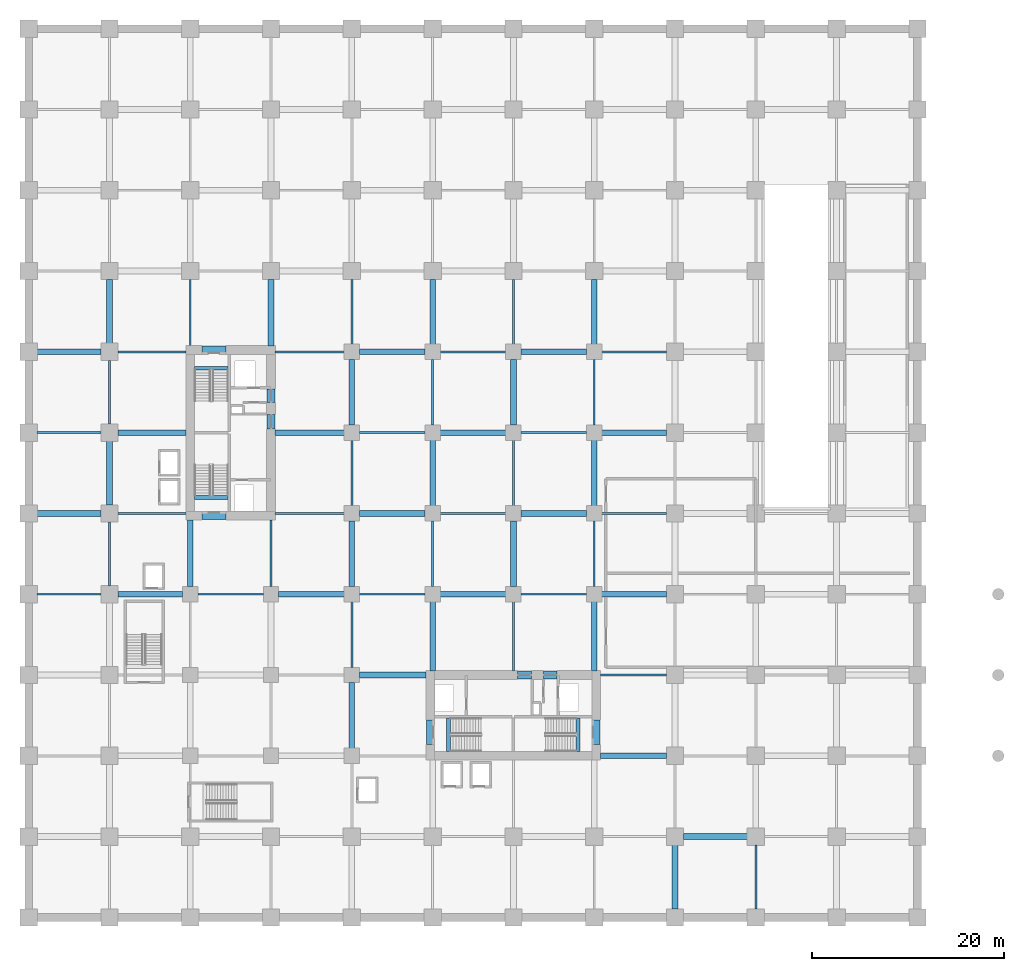
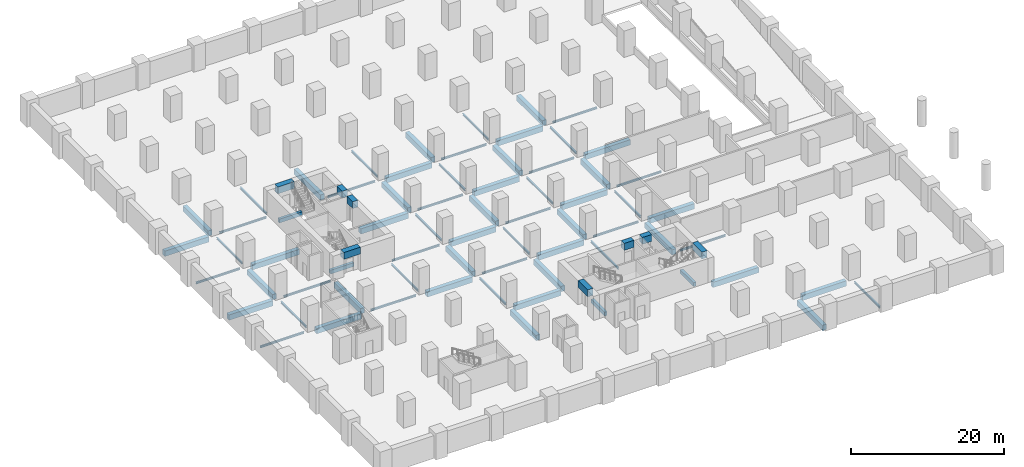
# One storey, part 2 of 13: 76 beams.
"""IFC4 building model written with IfcOpenShell, lengths in metres."""

from ifc_helpers import new_model, si_unit, direction, frame, origin, origin_2d, place, context, subcontext, project, spatial, rectangle, i_section, extrude, material, material_profile, profile_set, type_object, element, save


model = new_model("IFC4")

# Units and contexts
model_context = context("Model", 3, precision=1e-05, world=origin(), true_north=direction((0.0, 1.0)))
body_context = subcontext(model_context, "Body", "Model", "MODEL_VIEW")
ifc_project = project(units=[si_unit("LENGTHUNIT", "METRE"), si_unit("AREAUNIT", "SQUARE_METRE"), si_unit("VOLUMEUNIT", "CUBIC_METRE"), si_unit("PLANEANGLEUNIT", "RADIAN"), si_unit("MASSUNIT", "GRAM", prefix="KILO")], contexts=[model_context])

# Site, building, storey
site_placement = place(None, origin())
site = spatial("IfcSite", under=ifc_project, at=site_placement, CompositionType="ELEMENT")
building_placement = place(site_placement, origin())
building = spatial("IfcBuilding", under=site, at=building_placement, Name="Koriwani Terraces Tower", CompositionType="ELEMENT")
storey_placement = place(building_placement, frame((0.0, 0.0, -4.199951171875)))
storey = spatial("IfcBuildingStorey", under=building, at=storey_placement, Name="B01", CompositionType="ELEMENT", Elevation=-4.199951171875)

# Beams
ifc_material_1 = material(Name="Concrete C60/75", Category="concrete")
ifc_material_profile_1 = material_profile(ifc_material_1, rectangle(XDim=0.800048828125, YDim=1.10009765625, at=origin_2d()), Name="Concrete C60/75", Category="LoadBearing")
ifc_profile_set_1 = profile_set([ifc_material_profile_1], Name="Concrete C60/75")
beam_type_1 = type_object("IfcBeamType", Name="BEAM_RC_COUPLING_800X1100", PredefinedType="LINTEL", material=ifc_profile_set_1)
beam_1_placement = place(storey_placement, frame((25.199951171875, 50.800048828125, 3.300048828125), z_axis=(0.0, 1.0, 0.0), x_axis=(-1.0, 0.0, 0.0)))
element("IfcBeam", 1, at=beam_1_placement, inside=storey, type_object=beam_type_1, Name="B01 Core Coupling Lintel Beam WE1", PredefinedType="LINTEL", context=body_context, shape_type="SweptSolid", body=[
    extrude(rectangle(XDim=0.800048828125, YDim=1.10009765625, at=origin_2d()), origin(), (0.0, 0.0, 1.0), 1.47998046875),
])
beam_2_placement = place(storey_placement, frame((25.199951171875, 53.550048828125, 3.300048828125), z_axis=(0.0, 1.0, 0.0), x_axis=(-1.0, 0.0, 0.0)))
element("IfcBeam", 2, at=beam_2_placement, inside=storey, type_object=beam_type_1, Name="B01 Core Coupling Lintel Beam WE2", PredefinedType="LINTEL", context=body_context, shape_type="SweptSolid", body=[
    extrude(rectangle(XDim=0.800048828125, YDim=1.10009765625, at=origin_2d()), origin(), (0.0, 0.0, 1.0), 1.39990234375),
])
for number, where, z_axis, x_axis, name in (
    (3, (18.0, 41.75, 3.300048828125), (1.0, 0.0, 0.0), (0.0, 1.0, 0.0), "B01 Core Coupling Lintel Beam WS"),
    (4, (18.0, 59.0, 3.300048828125), (1.0, 0.0, 0.0), (0.0, 1.0, 0.0), "B01 Core Coupling Lintel Beam WN"),
):
    element("IfcBeam", number, at=place(storey_placement, frame(where, z_axis=z_axis, x_axis=x_axis)), inside=storey, type_object=beam_type_1, Name=name, PredefinedType="LINTEL", context=body_context, shape_type="SweptSolid", body=[
        extrude(rectangle(XDim=0.800048828125, YDim=1.10009765625, at=origin_2d()), origin(), (0.0, 0.0, 1.0), 2.5),
    ])
beam_3_placement = place(storey_placement, frame((50.800048828125, 25.199951171875, 3.300048828125), z_axis=(1.0, 0.0, 0.0), x_axis=(0.0, 1.0, 0.0)))
element("IfcBeam", 5, at=beam_3_placement, inside=storey, type_object=beam_type_1, Name="B01 Core Coupling Lintel Beam EN1", PredefinedType="LINTEL", context=body_context, shape_type="SweptSolid", body=[
    extrude(rectangle(XDim=0.800048828125, YDim=1.10009765625, at=origin_2d()), origin(), (0.0, 0.0, 1.0), 1.47998046875),
])
beam_4_placement = place(storey_placement, frame((53.550048828125, 25.199951171875, 3.300048828125), z_axis=(1.0, 0.0, 0.0), x_axis=(0.0, 1.0, 0.0)))
element("IfcBeam", 6, at=beam_4_placement, inside=storey, type_object=beam_type_1, Name="B01 Core Coupling Lintel Beam EN2", PredefinedType="LINTEL", context=body_context, shape_type="SweptSolid", body=[
    extrude(rectangle(XDim=0.800048828125, YDim=1.10009765625, at=origin_2d()), origin(), (0.0, 0.0, 1.0), 1.39990234375),
])
for number, where, z_axis, x_axis, name in (
    (7, (41.75, 18.0, 3.300048828125), (0.0, 1.0, 0.0), (-1.0, 0.0, 0.0), "B01 Core Coupling Lintel Beam EW"),
    (8, (59.0, 18.0, 3.300048828125), (0.0, 1.0, 0.0), (-1.0, 0.0, 0.0), "B01 Core Coupling Lintel Beam EE"),
):
    element("IfcBeam", number, at=place(storey_placement, frame(where, z_axis=z_axis, x_axis=x_axis)), inside=storey, type_object=beam_type_1, Name=name, PredefinedType="LINTEL", context=body_context, shape_type="SweptSolid", body=[
        extrude(rectangle(XDim=0.800048828125, YDim=1.10009765625, at=origin_2d()), origin(), (0.0, 0.0, 1.0), 2.5),
    ])
ifc_material_2 = material(Name="Concrete C40/50", Category="concrete")
ifc_material_profile_2 = material_profile(ifc_material_2, rectangle(XDim=0.39990234375, YDim=0.60009765625, at=origin_2d()), Name="Concrete C40/50", Category="LoadBearing")
ifc_profile_set_2 = profile_set([ifc_material_profile_2], Name="Concrete C40/50")
beam_type_2 = type_object("IfcBeamType", Name="BEAM_RC_GRID_400X600", PredefinedType="BEAM", material=ifc_profile_set_2)
for number, where, z_axis, x_axis, name in (
    (9, (17.25, 43.655029296875, -0.300048828125), (1.0, 0.0, 0.0), (0.0, 1.0, 0.0), "B01 Stairwell Header Trimmer Beam ST-W1"),
    (10, (17.25, 57.094970703125, -0.300048828125), (1.0, 0.0, 0.0), (0.0, 1.0, 0.0), "B01 Stairwell Header Trimmer Beam ST-W2"),
    (11, (43.655029296875, 17.25, -0.300048828125), (0.0, 1.0, 0.0), (-1.0, 0.0, 0.0), "B01 Stairwell Header Trimmer Beam ST-E1"),
    (12, (57.094970703125, 17.25, -0.300048828125), (0.0, 1.0, 0.0), (-1.0, 0.0, 0.0), "B01 Stairwell Header Trimmer Beam ST-E2"),
):
    element("IfcBeam", number, at=place(storey_placement, frame(where, z_axis=z_axis, x_axis=x_axis)), inside=storey, type_object=beam_type_2, Name=name, PredefinedType="BEAM", context=body_context, shape_type="SweptSolid", body=[
        extrude(rectangle(XDim=0.39990234375, YDim=0.60009765625, at=origin_2d()), origin(), (0.0, 0.0, 1.0), 3.5),
    ])
ifc_material_profile_3 = material_profile(ifc_material_1, rectangle(XDim=0.60009765625, YDim=0.85009765625, at=origin_2d()), Name="Concrete C60/75", Category="LoadBearing")
ifc_profile_set_3 = profile_set([ifc_material_profile_3], Name="Concrete C60/75")
beam_type_3 = type_object("IfcBeamType", Name="BEAM_RC_GRID_600X850", PredefinedType="BEAM", material=ifc_profile_set_3)
beam_5_placement = place(storey_placement, frame((68.080078125, 8.39990234375, -0.775146484375), z_axis=(1.0, 0.0, 0.0), x_axis=(0.0, 1.0, 0.0)))
element("IfcBeam", 13, at=beam_5_placement, inside=storey, type_object=beam_type_3, Name="B01 Grid Beam B (67.2-75.6m)", PredefinedType="BEAM", context=body_context, shape_type="SweptSolid", body=[
    extrude(rectangle(XDim=0.60009765625, YDim=0.85009765625, at=origin_2d()), origin(), (0.0, 0.0, 1.0), 6.639892578125),
])
beam_6_placement = place(storey_placement, frame((59.429931640625, 16.800048828125, -0.775146484375), z_axis=(1.0, 0.0, 0.0), x_axis=(0.0, 1.0, 0.0)))
element("IfcBeam", 14, at=beam_6_placement, inside=storey, type_object=beam_type_3, Name="B01 Grid Beam C (58.8-67.2m)", PredefinedType="BEAM", context=body_context, shape_type="SweptSolid", body=[
    extrude(rectangle(XDim=0.60009765625, YDim=0.85009765625, at=origin_2d()), origin(), (0.0, 0.0, 1.0), 6.89013671875),
])
beam_7_placement = place(storey_placement, frame((34.3798828125, 25.199951171875, -0.775146484375), z_axis=(1.0, 0.0, 0.0), x_axis=(0.0, 1.0, 0.0)))
element("IfcBeam", 15, at=beam_7_placement, inside=storey, type_object=beam_type_3, Name="B01 Grid Beam D (33.6-42.0m)", PredefinedType="BEAM", context=body_context, shape_type="SweptSolid", body=[
    extrude(rectangle(XDim=0.60009765625, YDim=0.85009765625, at=origin_2d()), origin(), (0.0, 0.0, 1.0), 6.940185546875),
])
beam_8_placement = place(storey_placement, frame((9.280029296875, 33.60009765625, -0.775146484375), z_axis=(1.0, 0.0, 0.0), x_axis=(0.0, 1.0, 0.0)))
element("IfcBeam", 16, at=beam_8_placement, inside=storey, type_object=beam_type_3, Name="B01 Grid Beam E (8.4-16.8m)", PredefinedType="BEAM", context=body_context, shape_type="SweptSolid", body=[
    extrude(rectangle(XDim=0.60009765625, YDim=0.85009765625, at=origin_2d()), origin(), (0.0, 0.0, 1.0), 6.739990234375),
])
for number, where, z_axis, x_axis, name in (
    (17, (25.97998046875, 33.60009765625, -0.775146484375), (1.0, 0.0, 0.0), (0.0, 1.0, 0.0), "B01 Grid Beam E (25.2-33.6m)"),
    (18, (42.780029296875, 33.60009765625, -0.775146484375), (1.0, 0.0, 0.0), (0.0, 1.0, 0.0), "B01 Grid Beam E (42.0-50.4m)"),
):
    element("IfcBeam", number, at=place(storey_placement, frame(where, z_axis=z_axis, x_axis=x_axis)), inside=storey, type_object=beam_type_3, Name=name, PredefinedType="BEAM", context=body_context, shape_type="SweptSolid", body=[
        extrude(rectangle(XDim=0.60009765625, YDim=0.85009765625, at=origin_2d()), origin(), (0.0, 0.0, 1.0), 6.840087890625),
    ])
beam_9_placement = place(storey_placement, frame((59.580078125, 33.60009765625, -0.775146484375), z_axis=(1.0, 0.0, 0.0), x_axis=(0.0, 1.0, 0.0)))
element("IfcBeam", 19, at=beam_9_placement, inside=storey, type_object=beam_type_3, Name="B01 Grid Beam E (58.8-67.2m)", PredefinedType="BEAM", context=body_context, shape_type="SweptSolid", body=[
    extrude(rectangle(XDim=0.60009765625, YDim=0.85009765625, at=origin_2d()), origin(), (0.0, 0.0, 1.0), 6.739990234375),
])
beam_10_placement = place(storey_placement, frame((0.8798828125, 42.0, -0.775146484375), z_axis=(1.0, 0.0, 0.0), x_axis=(0.0, 1.0, 0.0)))
element("IfcBeam", 20, at=beam_10_placement, inside=storey, type_object=beam_type_3, Name="B01 Grid Beam F (0.0-8.4m)", PredefinedType="BEAM", context=body_context, shape_type="SweptSolid", body=[
    extrude(rectangle(XDim=0.60009765625, YDim=0.85009765625, at=origin_2d()), origin(), (0.0, 0.0, 1.0), 6.64013671875),
])
for number, where, z_axis, x_axis, name in (
    (21, (34.3798828125, 42.0, -0.775146484375), (1.0, 0.0, 0.0), (0.0, 1.0, 0.0), "B01 Grid Beam F (33.6-42.0m)"),
    (22, (51.179931640625, 42.0, -0.775146484375), (1.0, 0.0, 0.0), (0.0, 1.0, 0.0), "B01 Grid Beam F (50.4-58.8m)"),
):
    element("IfcBeam", number, at=place(storey_placement, frame(where, z_axis=z_axis, x_axis=x_axis)), inside=storey, type_object=beam_type_3, Name=name, PredefinedType="BEAM", context=body_context, shape_type="SweptSolid", body=[
        extrude(rectangle(XDim=0.60009765625, YDim=0.85009765625, at=origin_2d()), origin(), (0.0, 0.0, 1.0), 6.840087890625),
    ])
beam_11_placement = place(storey_placement, frame((9.280029296875, 50.39990234375, -0.775146484375), z_axis=(1.0, 0.0, 0.0), x_axis=(0.0, 1.0, 0.0)))
element("IfcBeam", 23, at=beam_11_placement, inside=storey, type_object=beam_type_3, Name="B01 Grid Beam G (8.4-16.8m)", PredefinedType="BEAM", context=body_context, shape_type="SweptSolid", body=[
    extrude(rectangle(XDim=0.60009765625, YDim=0.85009765625, at=origin_2d()), origin(), (0.0, 0.0, 1.0), 7.090087890625),
])
beam_12_placement = place(storey_placement, frame((25.6298828125, 50.39990234375, -0.775146484375), z_axis=(1.0, 0.0, 0.0), x_axis=(0.0, 1.0, 0.0)))
element("IfcBeam", 24, at=beam_12_placement, inside=storey, type_object=beam_type_3, Name="B01 Grid Beam G (25.2-33.6m)", PredefinedType="BEAM", context=body_context, shape_type="SweptSolid", body=[
    extrude(rectangle(XDim=0.60009765625, YDim=0.85009765625, at=origin_2d()), origin(), (0.0, 0.0, 1.0), 7.190185546875),
])
beam_13_placement = place(storey_placement, frame((42.780029296875, 50.39990234375, -0.775146484375), z_axis=(1.0, 0.0, 0.0), x_axis=(0.0, 1.0, 0.0)))
element("IfcBeam", 25, at=beam_13_placement, inside=storey, type_object=beam_type_3, Name="B01 Grid Beam G (42.0-50.4m)", PredefinedType="BEAM", context=body_context, shape_type="SweptSolid", body=[
    extrude(rectangle(XDim=0.60009765625, YDim=0.85009765625, at=origin_2d()), origin(), (0.0, 0.0, 1.0), 6.840087890625),
])
beam_14_placement = place(storey_placement, frame((59.580078125, 50.39990234375, -0.775146484375), z_axis=(1.0, 0.0, 0.0), x_axis=(0.0, 1.0, 0.0)))
element("IfcBeam", 26, at=beam_14_placement, inside=storey, type_object=beam_type_3, Name="B01 Grid Beam G (58.8-67.2m)", PredefinedType="BEAM", context=body_context, shape_type="SweptSolid", body=[
    extrude(rectangle(XDim=0.60009765625, YDim=0.85009765625, at=origin_2d()), origin(), (0.0, 0.0, 1.0), 6.739990234375),
])
beam_15_placement = place(storey_placement, frame((0.8798828125, 58.800048828125, -0.775146484375), z_axis=(1.0, 0.0, 0.0), x_axis=(0.0, 1.0, 0.0)))
element("IfcBeam", 27, at=beam_15_placement, inside=storey, type_object=beam_type_3, Name="B01 Grid Beam H (0.0-8.4m)", PredefinedType="BEAM", context=body_context, shape_type="SweptSolid", body=[
    extrude(rectangle(XDim=0.60009765625, YDim=0.85009765625, at=origin_2d()), origin(), (0.0, 0.0, 1.0), 6.64013671875),
])
for number, where, z_axis, x_axis, name in (
    (28, (34.3798828125, 58.800048828125, -0.775146484375), (1.0, 0.0, 0.0), (0.0, 1.0, 0.0), "B01 Grid Beam H (33.6-42.0m)"),
    (29, (51.179931640625, 58.800048828125, -0.775146484375), (1.0, 0.0, 0.0), (0.0, 1.0, 0.0), "B01 Grid Beam H (50.4-58.8m)"),
):
    element("IfcBeam", number, at=place(storey_placement, frame(where, z_axis=z_axis, x_axis=x_axis)), inside=storey, type_object=beam_type_3, Name=name, PredefinedType="BEAM", context=body_context, shape_type="SweptSolid", body=[
        extrude(rectangle(XDim=0.60009765625, YDim=0.85009765625, at=origin_2d()), origin(), (0.0, 0.0, 1.0), 6.840087890625),
    ])
for number, where, z_axis, x_axis, name in (
    (30, (8.39990234375, 42.8798828125, -0.775146484375), (0.0, 1.0, 0.0), (-1.0, 0.0, 0.0), "B01 Grid Beam 2 (42.0-50.4m)"),
    (31, (8.39990234375, 59.679931640625, -0.775146484375), (0.0, 1.0, 0.0), (-1.0, 0.0, 0.0), "B01 Grid Beam 2 (58.8-67.2m)"),
):
    element("IfcBeam", number, at=place(storey_placement, frame(where, z_axis=z_axis, x_axis=x_axis)), inside=storey, type_object=beam_type_3, Name=name, PredefinedType="BEAM", context=body_context, shape_type="SweptSolid", body=[
        extrude(rectangle(XDim=0.60009765625, YDim=0.85009765625, at=origin_2d()), origin(), (0.0, 0.0, 1.0), 6.64013671875),
    ])
beam_16_placement = place(storey_placement, frame((16.800048828125, 34.3798828125, -0.775146484375), z_axis=(0.0, 1.0, 0.0), x_axis=(-1.0, 0.0, 0.0)))
element("IfcBeam", 32, at=beam_16_placement, inside=storey, type_object=beam_type_3, Name="B01 Grid Beam 3 (33.6-42.0m)", PredefinedType="BEAM", context=body_context, shape_type="SweptSolid", body=[
    extrude(rectangle(XDim=0.60009765625, YDim=0.85009765625, at=origin_2d()), origin(), (0.0, 0.0, 1.0), 6.940185546875),
])
beam_17_placement = place(storey_placement, frame((25.199951171875, 59.429931640625, -0.775146484375), z_axis=(0.0, 1.0, 0.0), x_axis=(-1.0, 0.0, 0.0)))
element("IfcBeam", 33, at=beam_17_placement, inside=storey, type_object=beam_type_3, Name="B01 Grid Beam 4 (58.8-67.2m)", PredefinedType="BEAM", context=body_context, shape_type="SweptSolid", body=[
    extrude(rectangle(XDim=0.60009765625, YDim=0.85009765625, at=origin_2d()), origin(), (0.0, 0.0, 1.0), 6.89013671875),
])
beam_18_placement = place(storey_placement, frame((33.60009765625, 17.580078125, -0.775146484375), z_axis=(0.0, 1.0, 0.0), x_axis=(-1.0, 0.0, 0.0)))
element("IfcBeam", 34, at=beam_18_placement, inside=storey, type_object=beam_type_3, Name="B01 Grid Beam 5 (16.8-25.2m)", PredefinedType="BEAM", context=body_context, shape_type="SweptSolid", body=[
    extrude(rectangle(XDim=0.60009765625, YDim=0.85009765625, at=origin_2d()), origin(), (0.0, 0.0, 1.0), 6.83984375),
])
for number, where, z_axis, x_axis, name in (
    (35, (33.60009765625, 34.3798828125, -0.775146484375), (0.0, 1.0, 0.0), (-1.0, 0.0, 0.0), "B01 Grid Beam 5 (33.6-42.0m)"),
    (36, (33.60009765625, 51.179931640625, -0.775146484375), (0.0, 1.0, 0.0), (-1.0, 0.0, 0.0), "B01 Grid Beam 5 (50.4-58.8m)"),
):
    element("IfcBeam", number, at=place(storey_placement, frame(where, z_axis=z_axis, x_axis=x_axis)), inside=storey, type_object=beam_type_3, Name=name, PredefinedType="BEAM", context=body_context, shape_type="SweptSolid", body=[
        extrude(rectangle(XDim=0.60009765625, YDim=0.85009765625, at=origin_2d()), origin(), (0.0, 0.0, 1.0), 6.840087890625),
    ])
beam_19_placement = place(storey_placement, frame((42.0, 25.6298828125, -0.775146484375), z_axis=(0.0, 1.0, 0.0), x_axis=(-1.0, 0.0, 0.0)))
element("IfcBeam", 37, at=beam_19_placement, inside=storey, type_object=beam_type_3, Name="B01 Grid Beam 6 (25.2-33.6m)", PredefinedType="BEAM", context=body_context, shape_type="SweptSolid", body=[
    extrude(rectangle(XDim=0.60009765625, YDim=0.85009765625, at=origin_2d()), origin(), (0.0, 0.0, 1.0), 7.190185546875),
])
beam_20_placement = place(storey_placement, frame((42.0, 42.780029296875, -0.775146484375), z_axis=(0.0, 1.0, 0.0), x_axis=(-1.0, 0.0, 0.0)))
element("IfcBeam", 38, at=beam_20_placement, inside=storey, type_object=beam_type_3, Name="B01 Grid Beam 6 (42.0-50.4m)", PredefinedType="BEAM", context=body_context, shape_type="SweptSolid", body=[
    extrude(rectangle(XDim=0.60009765625, YDim=0.85009765625, at=origin_2d()), origin(), (0.0, 0.0, 1.0), 6.840087890625),
])
beam_21_placement = place(storey_placement, frame((42.0, 59.580078125, -0.775146484375), z_axis=(0.0, 1.0, 0.0), x_axis=(-1.0, 0.0, 0.0)))
element("IfcBeam", 39, at=beam_21_placement, inside=storey, type_object=beam_type_3, Name="B01 Grid Beam 6 (58.8-67.2m)", PredefinedType="BEAM", context=body_context, shape_type="SweptSolid", body=[
    extrude(rectangle(XDim=0.60009765625, YDim=0.85009765625, at=origin_2d()), origin(), (0.0, 0.0, 1.0), 6.739990234375),
])
for number, where, z_axis, x_axis, name in (
    (40, (50.39990234375, 34.3798828125, -0.775146484375), (0.0, 1.0, 0.0), (-1.0, 0.0, 0.0), "B01 Grid Beam 7 (33.6-42.0m)"),
    (41, (50.39990234375, 51.179931640625, -0.775146484375), (0.0, 1.0, 0.0), (-1.0, 0.0, 0.0), "B01 Grid Beam 7 (50.4-58.8m)"),
):
    element("IfcBeam", number, at=place(storey_placement, frame(where, z_axis=z_axis, x_axis=x_axis)), inside=storey, type_object=beam_type_3, Name=name, PredefinedType="BEAM", context=body_context, shape_type="SweptSolid", body=[
        extrude(rectangle(XDim=0.60009765625, YDim=0.85009765625, at=origin_2d()), origin(), (0.0, 0.0, 1.0), 6.840087890625),
    ])
beam_22_placement = place(storey_placement, frame((58.800048828125, 25.6298828125, -0.775146484375), z_axis=(0.0, 1.0, 0.0), x_axis=(-1.0, 0.0, 0.0)))
element("IfcBeam", 42, at=beam_22_placement, inside=storey, type_object=beam_type_3, Name="B01 Grid Beam 8 (25.2-33.6m)", PredefinedType="BEAM", context=body_context, shape_type="SweptSolid", body=[
    extrude(rectangle(XDim=0.60009765625, YDim=0.85009765625, at=origin_2d()), origin(), (0.0, 0.0, 1.0), 7.190185546875),
])
beam_23_placement = place(storey_placement, frame((58.800048828125, 42.780029296875, -0.775146484375), z_axis=(0.0, 1.0, 0.0), x_axis=(-1.0, 0.0, 0.0)))
element("IfcBeam", 43, at=beam_23_placement, inside=storey, type_object=beam_type_3, Name="B01 Grid Beam 8 (42.0-50.4m)", PredefinedType="BEAM", context=body_context, shape_type="SweptSolid", body=[
    extrude(rectangle(XDim=0.60009765625, YDim=0.85009765625, at=origin_2d()), origin(), (0.0, 0.0, 1.0), 6.840087890625),
])
beam_24_placement = place(storey_placement, frame((58.800048828125, 59.580078125, -0.775146484375), z_axis=(0.0, 1.0, 0.0), x_axis=(-1.0, 0.0, 0.0)))
element("IfcBeam", 44, at=beam_24_placement, inside=storey, type_object=beam_type_3, Name="B01 Grid Beam 8 (58.8-67.2m)", PredefinedType="BEAM", context=body_context, shape_type="SweptSolid", body=[
    extrude(rectangle(XDim=0.60009765625, YDim=0.85009765625, at=origin_2d()), origin(), (0.0, 0.0, 1.0), 6.739990234375),
])
beam_25_placement = place(storey_placement, frame((67.199951171875, 0.8798828125, -0.775146484375), z_axis=(0.0, 1.0, 0.0), x_axis=(-1.0, 0.0, 0.0)))
element("IfcBeam", 45, at=beam_25_placement, inside=storey, type_object=beam_type_3, Name="B01 Grid Beam 9 (0.0-8.4m)", PredefinedType="BEAM", context=body_context, shape_type="SweptSolid", body=[
    extrude(rectangle(XDim=0.60009765625, YDim=0.85009765625, at=origin_2d()), origin(), (0.0, 0.0, 1.0), 6.64013671875),
])
ifc_material_3 = material(Name="Steel ASTM A572 Grade 50", Category="steel")
ifc_material_profile_4 = material_profile(ifc_material_3, i_section(OverallWidth=0.205078125, OverallDepth=0.31005859375, WebThickness=0.009521484375, FlangeThickness=0.016357421875, at=origin_2d()), Name="Steel ASTM A572 Grade 50", Category="LoadBearing")
ifc_profile_set_4 = profile_set([ifc_material_profile_4], Name="Steel ASTM A572 Grade 50")
beam_type_4 = type_object("IfcBeamType", Name="STEEL_BEAM_W310X74", PredefinedType="JOIST", material=ifc_profile_set_4)
beam_26_placement = place(storey_placement, frame((59.429931640625, 25.199951171875, -0.505126953125), z_axis=(1.0, 0.0, 0.0), x_axis=(0.0, 1.0, 0.0)))
element("IfcBeam", 46, at=beam_26_placement, inside=storey, type_object=beam_type_4, Name="B01 Grid Beam D (58.8-67.2m)", PredefinedType="JOIST", context=body_context, shape_type="SweptSolid", body=[
    extrude(i_section(OverallWidth=0.205078125, OverallDepth=0.31005859375, WebThickness=0.009521484375, FlangeThickness=0.016357421875, at=origin_2d()), origin(), (0.0, 0.0, 1.0), 6.89013671875),
])
beam_27_placement = place(storey_placement, frame((0.8798828125, 33.60009765625, -0.505126953125), z_axis=(1.0, 0.0, 0.0), x_axis=(0.0, 1.0, 0.0)))
element("IfcBeam", 47, at=beam_27_placement, inside=storey, type_object=beam_type_4, Name="B01 Grid Beam E (0.0-8.4m)", PredefinedType="JOIST", context=body_context, shape_type="SweptSolid", body=[
    extrude(i_section(OverallWidth=0.205078125, OverallDepth=0.31005859375, WebThickness=0.009521484375, FlangeThickness=0.016357421875, at=origin_2d()), origin(), (0.0, 0.0, 1.0), 6.64013671875),
])
beam_28_placement = place(storey_placement, frame((17.580078125, 33.60009765625, -0.505126953125), z_axis=(1.0, 0.0, 0.0), x_axis=(0.0, 1.0, 0.0)))
element("IfcBeam", 48, at=beam_28_placement, inside=storey, type_object=beam_type_4, Name="B01 Grid Beam E (16.8-25.2m)", PredefinedType="JOIST", context=body_context, shape_type="SweptSolid", body=[
    extrude(i_section(OverallWidth=0.205078125, OverallDepth=0.31005859375, WebThickness=0.009521484375, FlangeThickness=0.016357421875, at=origin_2d()), origin(), (0.0, 0.0, 1.0), 6.83984375),
])
for number, where, z_axis, x_axis, name in (
    (49, (34.3798828125, 33.60009765625, -0.505126953125), (1.0, 0.0, 0.0), (0.0, 1.0, 0.0), "B01 Grid Beam E (33.6-42.0m)"),
    (50, (51.179931640625, 33.60009765625, -0.505126953125), (1.0, 0.0, 0.0), (0.0, 1.0, 0.0), "B01 Grid Beam E (50.4-58.8m)"),
):
    element("IfcBeam", number, at=place(storey_placement, frame(where, z_axis=z_axis, x_axis=x_axis)), inside=storey, type_object=beam_type_4, Name=name, PredefinedType="JOIST", context=body_context, shape_type="SweptSolid", body=[
        extrude(i_section(OverallWidth=0.205078125, OverallDepth=0.31005859375, WebThickness=0.009521484375, FlangeThickness=0.016357421875, at=origin_2d()), origin(), (0.0, 0.0, 1.0), 6.840087890625),
    ])
beam_29_placement = place(storey_placement, frame((9.280029296875, 42.0, -0.505126953125), z_axis=(1.0, 0.0, 0.0), x_axis=(0.0, 1.0, 0.0)))
element("IfcBeam", 51, at=beam_29_placement, inside=storey, type_object=beam_type_4, Name="B01 Grid Beam F (8.4-16.8m)", PredefinedType="JOIST", context=body_context, shape_type="SweptSolid", body=[
    extrude(i_section(OverallWidth=0.205078125, OverallDepth=0.31005859375, WebThickness=0.009521484375, FlangeThickness=0.016357421875, at=origin_2d()), origin(), (0.0, 0.0, 1.0), 7.090087890625),
])
beam_30_placement = place(storey_placement, frame((25.6298828125, 42.0, -0.505126953125), z_axis=(1.0, 0.0, 0.0), x_axis=(0.0, 1.0, 0.0)))
element("IfcBeam", 52, at=beam_30_placement, inside=storey, type_object=beam_type_4, Name="B01 Grid Beam F (25.2-33.6m)", PredefinedType="JOIST", context=body_context, shape_type="SweptSolid", body=[
    extrude(i_section(OverallWidth=0.205078125, OverallDepth=0.31005859375, WebThickness=0.009521484375, FlangeThickness=0.016357421875, at=origin_2d()), origin(), (0.0, 0.0, 1.0), 7.190185546875),
])
beam_31_placement = place(storey_placement, frame((42.780029296875, 42.0, -0.505126953125), z_axis=(1.0, 0.0, 0.0), x_axis=(0.0, 1.0, 0.0)))
element("IfcBeam", 53, at=beam_31_placement, inside=storey, type_object=beam_type_4, Name="B01 Grid Beam F (42.0-50.4m)", PredefinedType="JOIST", context=body_context, shape_type="SweptSolid", body=[
    extrude(i_section(OverallWidth=0.205078125, OverallDepth=0.31005859375, WebThickness=0.009521484375, FlangeThickness=0.016357421875, at=origin_2d()), origin(), (0.0, 0.0, 1.0), 6.840087890625),
])
beam_32_placement = place(storey_placement, frame((59.580078125, 42.0, -0.505126953125), z_axis=(1.0, 0.0, 0.0), x_axis=(0.0, 1.0, 0.0)))
element("IfcBeam", 54, at=beam_32_placement, inside=storey, type_object=beam_type_4, Name="B01 Grid Beam F (58.8-67.2m)", PredefinedType="JOIST", context=body_context, shape_type="SweptSolid", body=[
    extrude(i_section(OverallWidth=0.205078125, OverallDepth=0.31005859375, WebThickness=0.009521484375, FlangeThickness=0.016357421875, at=origin_2d()), origin(), (0.0, 0.0, 1.0), 6.739990234375),
])
beam_33_placement = place(storey_placement, frame((0.8798828125, 50.39990234375, -0.505126953125), z_axis=(1.0, 0.0, 0.0), x_axis=(0.0, 1.0, 0.0)))
element("IfcBeam", 55, at=beam_33_placement, inside=storey, type_object=beam_type_4, Name="B01 Grid Beam G (0.0-8.4m)", PredefinedType="JOIST", context=body_context, shape_type="SweptSolid", body=[
    extrude(i_section(OverallWidth=0.205078125, OverallDepth=0.31005859375, WebThickness=0.009521484375, FlangeThickness=0.016357421875, at=origin_2d()), origin(), (0.0, 0.0, 1.0), 6.64013671875),
])
for number, where, z_axis, x_axis, name in (
    (56, (34.3798828125, 50.39990234375, -0.505126953125), (1.0, 0.0, 0.0), (0.0, 1.0, 0.0), "B01 Grid Beam G (33.6-42.0m)"),
    (57, (51.179931640625, 50.39990234375, -0.505126953125), (1.0, 0.0, 0.0), (0.0, 1.0, 0.0), "B01 Grid Beam G (50.4-58.8m)"),
):
    element("IfcBeam", number, at=place(storey_placement, frame(where, z_axis=z_axis, x_axis=x_axis)), inside=storey, type_object=beam_type_4, Name=name, PredefinedType="JOIST", context=body_context, shape_type="SweptSolid", body=[
        extrude(i_section(OverallWidth=0.205078125, OverallDepth=0.31005859375, WebThickness=0.009521484375, FlangeThickness=0.016357421875, at=origin_2d()), origin(), (0.0, 0.0, 1.0), 6.840087890625),
    ])
beam_34_placement = place(storey_placement, frame((9.280029296875, 58.800048828125, -0.505126953125), z_axis=(1.0, 0.0, 0.0), x_axis=(0.0, 1.0, 0.0)))
element("IfcBeam", 58, at=beam_34_placement, inside=storey, type_object=beam_type_4, Name="B01 Grid Beam H (8.4-16.8m)", PredefinedType="JOIST", context=body_context, shape_type="SweptSolid", body=[
    extrude(i_section(OverallWidth=0.205078125, OverallDepth=0.31005859375, WebThickness=0.009521484375, FlangeThickness=0.016357421875, at=origin_2d()), origin(), (0.0, 0.0, 1.0), 7.090087890625),
])
beam_35_placement = place(storey_placement, frame((25.6298828125, 58.800048828125, -0.505126953125), z_axis=(1.0, 0.0, 0.0), x_axis=(0.0, 1.0, 0.0)))
element("IfcBeam", 59, at=beam_35_placement, inside=storey, type_object=beam_type_4, Name="B01 Grid Beam H (25.2-33.6m)", PredefinedType="JOIST", context=body_context, shape_type="SweptSolid", body=[
    extrude(i_section(OverallWidth=0.205078125, OverallDepth=0.31005859375, WebThickness=0.009521484375, FlangeThickness=0.016357421875, at=origin_2d()), origin(), (0.0, 0.0, 1.0), 7.190185546875),
])
beam_36_placement = place(storey_placement, frame((42.780029296875, 58.800048828125, -0.505126953125), z_axis=(1.0, 0.0, 0.0), x_axis=(0.0, 1.0, 0.0)))
element("IfcBeam", 60, at=beam_36_placement, inside=storey, type_object=beam_type_4, Name="B01 Grid Beam H (42.0-50.4m)", PredefinedType="JOIST", context=body_context, shape_type="SweptSolid", body=[
    extrude(i_section(OverallWidth=0.205078125, OverallDepth=0.31005859375, WebThickness=0.009521484375, FlangeThickness=0.016357421875, at=origin_2d()), origin(), (0.0, 0.0, 1.0), 6.840087890625),
])
beam_37_placement = place(storey_placement, frame((59.580078125, 58.800048828125, -0.505126953125), z_axis=(1.0, 0.0, 0.0), x_axis=(0.0, 1.0, 0.0)))
element("IfcBeam", 61, at=beam_37_placement, inside=storey, type_object=beam_type_4, Name="B01 Grid Beam H (58.8-67.2m)", PredefinedType="JOIST", context=body_context, shape_type="SweptSolid", body=[
    extrude(i_section(OverallWidth=0.205078125, OverallDepth=0.31005859375, WebThickness=0.009521484375, FlangeThickness=0.016357421875, at=origin_2d()), origin(), (0.0, 0.0, 1.0), 6.739990234375),
])
beam_38_placement = place(storey_placement, frame((8.39990234375, 34.47998046875, -0.505126953125), z_axis=(0.0, 1.0, 0.0), x_axis=(-1.0, 0.0, 0.0)))
element("IfcBeam", 62, at=beam_38_placement, inside=storey, type_object=beam_type_4, Name="B01 Grid Beam 2 (33.6-42.0m)", PredefinedType="JOIST", context=body_context, shape_type="SweptSolid", body=[
    extrude(i_section(OverallWidth=0.205078125, OverallDepth=0.31005859375, WebThickness=0.009521484375, FlangeThickness=0.016357421875, at=origin_2d()), origin(), (0.0, 0.0, 1.0), 6.64013671875),
])
beam_39_placement = place(storey_placement, frame((8.39990234375, 51.280029296875, -0.505126953125), z_axis=(0.0, 1.0, 0.0), x_axis=(-1.0, 0.0, 0.0)))
element("IfcBeam", 63, at=beam_39_placement, inside=storey, type_object=beam_type_4, Name="B01 Grid Beam 2 (50.4-58.8m)", PredefinedType="JOIST", context=body_context, shape_type="SweptSolid", body=[
    extrude(i_section(OverallWidth=0.205078125, OverallDepth=0.31005859375, WebThickness=0.009521484375, FlangeThickness=0.016357421875, at=origin_2d()), origin(), (0.0, 0.0, 1.0), 6.639892578125),
])
beam_40_placement = place(storey_placement, frame((16.800048828125, 59.429931640625, -0.505126953125), z_axis=(0.0, 1.0, 0.0), x_axis=(-1.0, 0.0, 0.0)))
element("IfcBeam", 64, at=beam_40_placement, inside=storey, type_object=beam_type_4, Name="B01 Grid Beam 3 (58.8-67.2m)", PredefinedType="JOIST", context=body_context, shape_type="SweptSolid", body=[
    extrude(i_section(OverallWidth=0.205078125, OverallDepth=0.31005859375, WebThickness=0.009521484375, FlangeThickness=0.016357421875, at=origin_2d()), origin(), (0.0, 0.0, 1.0), 6.89013671875),
])
beam_41_placement = place(storey_placement, frame((25.199951171875, 34.3798828125, -0.505126953125), z_axis=(0.0, 1.0, 0.0), x_axis=(-1.0, 0.0, 0.0)))
element("IfcBeam", 65, at=beam_41_placement, inside=storey, type_object=beam_type_4, Name="B01 Grid Beam 4 (33.6-42.0m)", PredefinedType="JOIST", context=body_context, shape_type="SweptSolid", body=[
    extrude(i_section(OverallWidth=0.205078125, OverallDepth=0.31005859375, WebThickness=0.009521484375, FlangeThickness=0.016357421875, at=origin_2d()), origin(), (0.0, 0.0, 1.0), 6.940185546875),
])
for number, where, z_axis, x_axis, name in (
    (66, (33.60009765625, 25.97998046875, -0.505126953125), (0.0, 1.0, 0.0), (-1.0, 0.0, 0.0), "B01 Grid Beam 5 (25.2-33.6m)"),
    (67, (33.60009765625, 42.780029296875, -0.505126953125), (0.0, 1.0, 0.0), (-1.0, 0.0, 0.0), "B01 Grid Beam 5 (42.0-50.4m)"),
):
    element("IfcBeam", number, at=place(storey_placement, frame(where, z_axis=z_axis, x_axis=x_axis)), inside=storey, type_object=beam_type_4, Name=name, PredefinedType="JOIST", context=body_context, shape_type="SweptSolid", body=[
        extrude(i_section(OverallWidth=0.205078125, OverallDepth=0.31005859375, WebThickness=0.009521484375, FlangeThickness=0.016357421875, at=origin_2d()), origin(), (0.0, 0.0, 1.0), 6.840087890625),
    ])
beam_42_placement = place(storey_placement, frame((33.60009765625, 59.580078125, -0.505126953125), z_axis=(0.0, 1.0, 0.0), x_axis=(-1.0, 0.0, 0.0)))
element("IfcBeam", 68, at=beam_42_placement, inside=storey, type_object=beam_type_4, Name="B01 Grid Beam 5 (58.8-67.2m)", PredefinedType="JOIST", context=body_context, shape_type="SweptSolid", body=[
    extrude(i_section(OverallWidth=0.205078125, OverallDepth=0.31005859375, WebThickness=0.009521484375, FlangeThickness=0.016357421875, at=origin_2d()), origin(), (0.0, 0.0, 1.0), 6.739990234375),
])
for number, where, z_axis, x_axis, name in (
    (69, (42.0, 34.3798828125, -0.505126953125), (0.0, 1.0, 0.0), (-1.0, 0.0, 0.0), "B01 Grid Beam 6 (33.6-42.0m)"),
    (70, (42.0, 51.179931640625, -0.505126953125), (0.0, 1.0, 0.0), (-1.0, 0.0, 0.0), "B01 Grid Beam 6 (50.4-58.8m)"),
):
    element("IfcBeam", number, at=place(storey_placement, frame(where, z_axis=z_axis, x_axis=x_axis)), inside=storey, type_object=beam_type_4, Name=name, PredefinedType="JOIST", context=body_context, shape_type="SweptSolid", body=[
        extrude(i_section(OverallWidth=0.205078125, OverallDepth=0.31005859375, WebThickness=0.009521484375, FlangeThickness=0.016357421875, at=origin_2d()), origin(), (0.0, 0.0, 1.0), 6.840087890625),
    ])
beam_43_placement = place(storey_placement, frame((50.39990234375, 25.6298828125, -0.505126953125), z_axis=(0.0, 1.0, 0.0), x_axis=(-1.0, 0.0, 0.0)))
element("IfcBeam", 71, at=beam_43_placement, inside=storey, type_object=beam_type_4, Name="B01 Grid Beam 7 (25.2-33.6m)", PredefinedType="JOIST", context=body_context, shape_type="SweptSolid", body=[
    extrude(i_section(OverallWidth=0.205078125, OverallDepth=0.31005859375, WebThickness=0.009521484375, FlangeThickness=0.016357421875, at=origin_2d()), origin(), (0.0, 0.0, 1.0), 7.190185546875),
])
beam_44_placement = place(storey_placement, frame((50.39990234375, 42.780029296875, -0.505126953125), z_axis=(0.0, 1.0, 0.0), x_axis=(-1.0, 0.0, 0.0)))
element("IfcBeam", 72, at=beam_44_placement, inside=storey, type_object=beam_type_4, Name="B01 Grid Beam 7 (42.0-50.4m)", PredefinedType="JOIST", context=body_context, shape_type="SweptSolid", body=[
    extrude(i_section(OverallWidth=0.205078125, OverallDepth=0.31005859375, WebThickness=0.009521484375, FlangeThickness=0.016357421875, at=origin_2d()), origin(), (0.0, 0.0, 1.0), 6.840087890625),
])
beam_45_placement = place(storey_placement, frame((50.39990234375, 59.580078125, -0.505126953125), z_axis=(0.0, 1.0, 0.0), x_axis=(-1.0, 0.0, 0.0)))
element("IfcBeam", 73, at=beam_45_placement, inside=storey, type_object=beam_type_4, Name="B01 Grid Beam 7 (58.8-67.2m)", PredefinedType="JOIST", context=body_context, shape_type="SweptSolid", body=[
    extrude(i_section(OverallWidth=0.205078125, OverallDepth=0.31005859375, WebThickness=0.009521484375, FlangeThickness=0.016357421875, at=origin_2d()), origin(), (0.0, 0.0, 1.0), 6.739990234375),
])
for number, where, z_axis, x_axis, name in (
    (74, (58.800048828125, 34.3798828125, -0.505126953125), (0.0, 1.0, 0.0), (-1.0, 0.0, 0.0), "B01 Grid Beam 8 (33.6-42.0m)"),
    (75, (58.800048828125, 51.179931640625, -0.505126953125), (0.0, 1.0, 0.0), (-1.0, 0.0, 0.0), "B01 Grid Beam 8 (50.4-58.8m)"),
):
    element("IfcBeam", number, at=place(storey_placement, frame(where, z_axis=z_axis, x_axis=x_axis)), inside=storey, type_object=beam_type_4, Name=name, PredefinedType="JOIST", context=body_context, shape_type="SweptSolid", body=[
        extrude(i_section(OverallWidth=0.205078125, OverallDepth=0.31005859375, WebThickness=0.009521484375, FlangeThickness=0.016357421875, at=origin_2d()), origin(), (0.0, 0.0, 1.0), 6.840087890625),
    ])
beam_46_placement = place(storey_placement, frame((75.60009765625, 0.8798828125, -0.505126953125), z_axis=(0.0, 1.0, 0.0), x_axis=(-1.0, 0.0, 0.0)))
element("IfcBeam", 76, at=beam_46_placement, inside=storey, type_object=beam_type_4, Name="B01 Grid Beam 10 (0.0-8.4m)", PredefinedType="JOIST", context=body_context, shape_type="SweptSolid", body=[
    extrude(i_section(OverallWidth=0.205078125, OverallDepth=0.31005859375, WebThickness=0.009521484375, FlangeThickness=0.016357421875, at=origin_2d()), origin(), (0.0, 0.0, 1.0), 6.64013671875),
])

save(model, "model.ifc")
